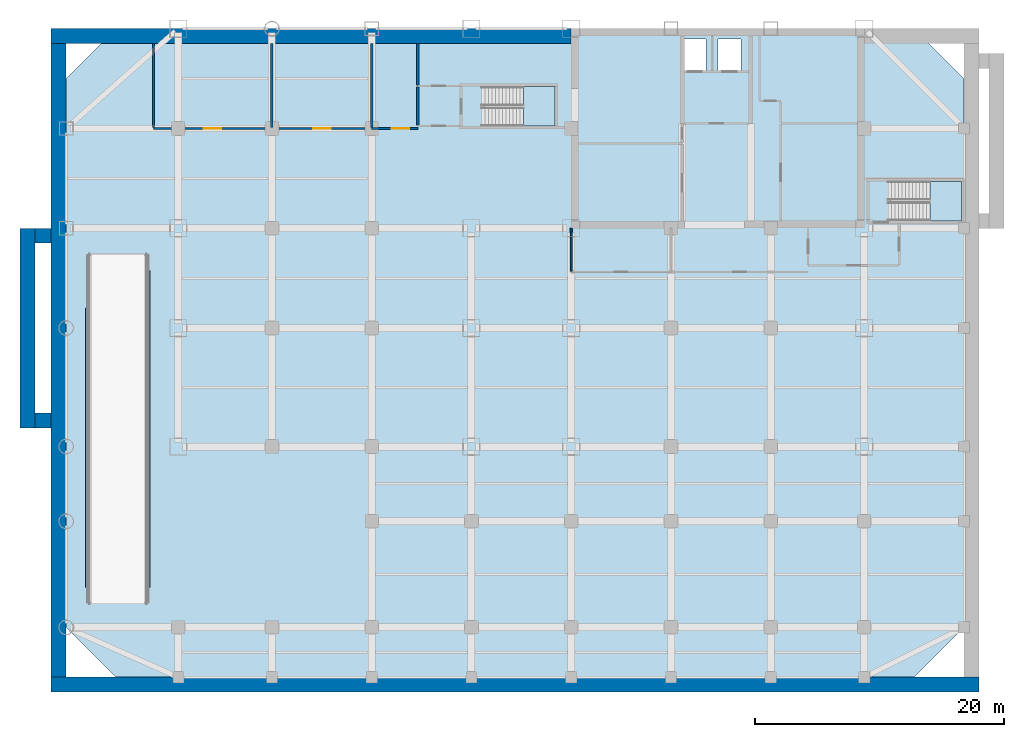
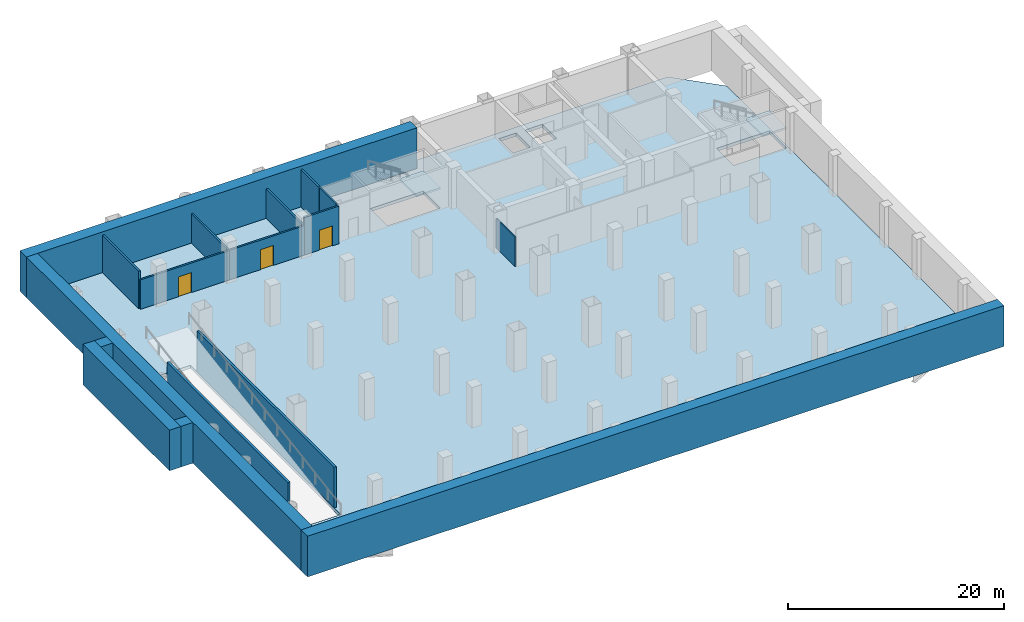
# One storey, part 3 of 8: 17 walls, 3 doors, 3 slabs, 3 openings, 2 elements without a shape of their own.
"""IFC4 building model written with IfcOpenShell, lengths in metres."""

from ifc_helpers import new_model, si_unit, direction, frame, frame_2d, origin, place, context, subcontext, project, spatial, polyline, rectangle, outline, extrude, material, layer, layer_set, type_object, element, fill, aggregate, save


model = new_model("IFC4")

# Units and contexts
model_context = context("Model", 3, precision=1e-05, world=origin(), true_north=direction((0.0, 1.0)))
body_context = subcontext(model_context, "Body", "Model", "MODEL_VIEW")
ifc_project = project(units=[si_unit("LENGTHUNIT", "METRE"), si_unit("AREAUNIT", "SQUARE_METRE"), si_unit("VOLUMEUNIT", "CUBIC_METRE"), si_unit("PLANEANGLEUNIT", "RADIAN"), si_unit("MASSUNIT", "GRAM", prefix="KILO")], contexts=[model_context])

# Site, building, storey
site_placement = place(None, origin())
site = spatial("IfcSite", under=ifc_project, at=site_placement, CompositionType="ELEMENT")
building_placement = place(site_placement, origin())
building = spatial("IfcBuilding", under=site, at=building_placement, Name="Qianrong Seaharbour Tower", CompositionType="ELEMENT")
storey_placement = place(building_placement, frame((0.0, 0.0, -9.199951171875)))
storey = spatial("IfcBuildingStorey", under=building, at=storey_placement, Name="B02", CompositionType="ELEMENT", Elevation=-9.199951171875)

# Slab
ifc_material_1 = material(Name="Concrete C50/60", Category="concrete")
ifc_layer_1 = layer(ifc_material_1, 0.360107421875)
ifc_layer_set_1 = layer_set([ifc_layer_1], Name="Concrete C50/60")
slab_type_1 = type_object("IfcSlabType", Name="SLAB-BSMT-360", PredefinedType="FLOOR", material=ifc_layer_set_1)
slab_1_placement = place(storey_placement, frame((0.0, 0.0, -0.360107421875)))
element("IfcSlab", 1, at=slab_1_placement, inside=storey, type_object=slab_type_1, Name="B02 Structural Floor Slab", PredefinedType="FLOOR", context=body_context, shape_type="SweptSolid", body=[
    extrude(outline(polyline([(4.0, 0.0), (68.0, 0.0), (72.0, 4.0), (72.0, 48.0), (68.0, 52.0), (4.0, 52.0), (0.0, 48.0), (0.0, 4.0), (4.0, 0.0)]), holes=[polyline([(33.5400390625, 44.199951171875), (33.5400390625, 47.35009765625), (39.199951171875, 47.35009765625), (39.199951171875, 44.199951171875), (33.5400390625, 44.199951171875)]), polyline([(66.139892578125, 36.60009765625), (66.139892578125, 39.75), (71.800048828125, 39.75), (71.800048828125, 36.60009765625), (66.139892578125, 36.60009765625)]), polyline([(49.47998046875, 48.530029296875), (49.47998046875, 51.169921875), (51.320068359375, 51.169921875), (51.320068359375, 48.530029296875), (49.47998046875, 48.530029296875)]), polyline([(52.280029296875, 48.530029296875), (52.280029296875, 51.169921875), (54.1201171875, 51.169921875), (54.1201171875, 48.530029296875), (52.280029296875, 48.530029296875)]), polyline([(1.800048828125, 6.0), (6.5, 6.0), (6.5, 33.800048828125), (1.800048828125, 33.800048828125), (1.800048828125, 6.0)])]), origin(), (0.0, 0.0, 1.0), 0.360107421875),
])

# Stair, slab
stair_type = type_object("IfcStairType", Name="STAIR-DOGLEG-1500-R26", PredefinedType="HALF_TURN_STAIR", material=ifc_material_1)
stair_1_placement = place(storey_placement, origin())
stair_1 = element("IfcStair", 2, at=stair_1_placement, inside=storey, type_object=stair_type, Name="B02 Protected Escape Stair BST-1", PredefinedType="HALF_TURN_STAIR")
ifc_layer_2 = layer(ifc_material_1, 0.199951171875)
ifc_layer_set_2 = layer_set([ifc_layer_2], Name="Concrete C50/60")
slab_type_2 = type_object("IfcSlabType", Name="SLAB-STAIR-LANDING-200", PredefinedType="LANDING", material=ifc_layer_set_2)
slab_2_placement = place(storey_placement, frame((0.0, 0.0, 2.099853515625)))
slab_2 = element("IfcSlab", 3, at=slab_2_placement, type_object=slab_type_2, Name="BST-1 landing 1", PredefinedType="LANDING", context=body_context, shape_type="SweptSolid", body=[
    extrude(outline(polyline([(36.659912109375, 44.199951171875), (39.199951171875, 44.199951171875), (39.199951171875, 47.35009765625), (36.659912109375, 47.35009765625), (36.659912109375, 44.199951171875)])), origin(), (0.0, 0.0, 1.0), 0.2001953125),
])
aggregate(stair_1, [slab_2])

stair_2_placement = place(storey_placement, origin())
stair_2 = element("IfcStair", 4, at=stair_2_placement, inside=storey, type_object=stair_type, Name="B02 Protected Escape Stair BST-2", PredefinedType="HALF_TURN_STAIR")
slab_3_placement = place(storey_placement, frame((0.0, 0.0, 2.099853515625)))
slab_3 = element("IfcSlab", 5, at=slab_3_placement, type_object=slab_type_2, Name="BST-2 landing 1", PredefinedType="LANDING", context=body_context, shape_type="SweptSolid", body=[
    extrude(outline(polyline([(69.260009765625, 36.60009765625), (71.800048828125, 36.60009765625), (71.800048828125, 39.75), (69.260009765625, 39.75), (69.260009765625, 36.60009765625)])), origin(), (0.0, 0.0, 1.0), 0.2001953125),
])
aggregate(stair_2, [slab_3])

# Walls
ifc_layer_3 = layer(ifc_material_1, 1.199951171875)
ifc_layer_set_3 = layer_set([ifc_layer_3], Name="Concrete C50/60")
wall_type_1 = type_object("IfcWallType", Name="WALL-DW-1200", PredefinedType="USERDEFINED", material=ifc_layer_set_3)
wall_1_placement = place(storey_placement, frame((-3.10009765625, 20.0, 0.0), z_axis=(0.0, 0.0, 1.0), x_axis=(0.0, 1.0, 0.0)))
element("IfcWall", 6, at=wall_1_placement, inside=storey, type_object=wall_type_1, Name="B02 West Ramp Retaining Buttress Wall", ObjectType="DIAPHRAGM WALL", PredefinedType="USERDEFINED", context=body_context, shape_type="SweptSolid", body=[
    extrude(rectangle(XDim=16.0, YDim=1.199951171875, at=frame_2d((8.0, 0.0))), origin(), (0.0, 0.0, 1.0), 4.599853515625),
])
for number, where, z_axis, x_axis, name in (
    (7, (-2.5, 20.60009765625, 0.0), (0.0, 0.0, 1.0), (1.0, 0.0, 0.0), "B02 West Ramp Buttress Return Wall S"),
    (8, (-2.5, 35.39990234375, 0.0), (0.0, 0.0, 1.0), (1.0, 0.0, 0.0), "B02 West Ramp Buttress Return Wall N"),
):
    element("IfcWall", number, at=place(storey_placement, frame(where, z_axis=z_axis, x_axis=x_axis)), inside=storey, type_object=wall_type_1, Name=name, ObjectType="DIAPHRAGM WALL", PredefinedType="USERDEFINED", context=body_context, shape_type="SweptSolid", body=[
        extrude(rectangle(XDim=1.300048828125, YDim=1.199951171875, at=frame_2d((0.64990234375, 0.0))), origin(), (0.0, 0.0, 1.0), 4.599853515625),
    ])
wall_2_placement = place(storey_placement, frame((-1.199951171875, 51.39990234375, 0.0), z_axis=(0.0, 0.0, 1.0), x_axis=(1.0, 0.0, 0.0)))
element("IfcWall", 9, at=wall_2_placement, inside=storey, type_object=wall_type_1, Name="B02 North-West Diaphragm Retaining Wall", ObjectType="DIAPHRAGM WALL", PredefinedType="USERDEFINED", context=body_context, shape_type="SweptSolid", body=[
    extrude(rectangle(XDim=41.699951171875, YDim=1.199951171875, at=frame_2d((20.85009765625, 0.0))), origin(), (0.0, 0.0, 1.0), 4.599853515625),
])
wall_3_placement = place(storey_placement, frame((-1.199951171875, -0.60009765625, 0.0), z_axis=(0.0, 0.0, 1.0), x_axis=(1.0, 0.0, 0.0)))
element("IfcWall", 10, at=wall_3_placement, inside=storey, type_object=wall_type_1, Name="B02 South Diaphragm Retaining Wall", ObjectType="DIAPHRAGM WALL", PredefinedType="USERDEFINED", context=body_context, shape_type="SweptSolid", body=[
    extrude(rectangle(XDim=74.39990234375, YDim=1.199951171875, at=frame_2d((37.199951171875, 0.0))), origin(), (0.0, 0.0, 1.0), 4.599853515625),
])
wall_4_placement = place(storey_placement, frame((-0.60009765625, 0.0, 0.0), z_axis=(0.0, 0.0, 1.0), x_axis=(0.0, 1.0, 0.0)))
element("IfcWall", 11, at=wall_4_placement, inside=storey, type_object=wall_type_1, Name="B02 West Diaphragm Retaining Wall", ObjectType="DIAPHRAGM WALL", PredefinedType="USERDEFINED", context=body_context, shape_type="SweptSolid", body=[
    extrude(rectangle(XDim=50.800048828125, YDim=1.199951171875, at=frame_2d((25.39990234375, 0.0))), origin(), (0.0, 0.0, 1.0), 4.599853515625),
])
ifc_material_2 = material(Name="Double fire-rated gypsum board acoustic partition")
ifc_layer_4 = layer(ifc_material_2, 0.18994140625)
ifc_layer_set_4 = layer_set([ifc_layer_4], Name="Double fire-rated gypsum board acoustic partition")
wall_type_2 = type_object("IfcWallType", Name="WALL-FIRE-PART-190", PredefinedType="PARTITIONING", material=ifc_layer_set_4)
wall_5_placement = place(storey_placement, frame((28.199951171875, 44.2744140625, 0.0), z_axis=(0.0, 0.0, 1.0), x_axis=(0.0, 1.0, 0.0)))
element("IfcWall", 12, at=wall_5_placement, inside=storey, type_object=wall_type_2, Name="B02 Interior Partition Wall 010", PredefinedType="PARTITIONING", context=body_context, shape_type="SweptSolid", body=[
    extrude(rectangle(XDim=3.051025390625, YDim=0.18994140625, at=frame_2d((1.525390625, 0.0))), origin(), (0.0, 0.0, 1.0), 4.239990234375),
])
wall_6_placement = place(storey_placement, frame((16.5, 50.80810546875, 0.0), z_axis=(0.0, 0.0, 1.0), x_axis=(0.0, -1.0, 0.0)))
element("IfcWall", 13, at=wall_6_placement, inside=storey, type_object=wall_type_2, Name="B02 Interior Partition Wall 016", PredefinedType="PARTITIONING", context=body_context, shape_type="SweptSolid", body=[
    extrude(rectangle(XDim=6.72119140625, YDim=0.18994140625, at=frame_2d((3.360595703125, 0.0))), origin(), (0.0, 0.0, 1.0), 3.33203125),
])

# Wall, opening, door
wall_7_placement = place(storey_placement, frame((16.5, 44.0, 0.0), z_axis=(0.0, 0.0, 1.0), x_axis=(-1.0, 0.0, 0.0)))
wall_7 = element("IfcWall", 14, at=wall_7_placement, inside=storey, type_object=wall_type_2, Name="B02 Interior Partition Wall 017", PredefinedType="PARTITIONING", context=body_context, shape_type="SweptSolid", body=[
    extrude(rectangle(XDim=9.5, YDim=0.18994140625, at=frame_2d((4.75, 0.0))), origin(), (0.0, 0.0, 1.0), 3.33203125),
])
opening_1_placement = place(wall_7_placement, frame((4.050048828125, 0.0, 0.0)))
opening_1 = element("IfcOpeningElement", 15, at=opening_1_placement, cuts=wall_7, Name="Opening DP-01", PredefinedType="OPENING", context=body_context, shape_type="SweptSolid", body=[
    extrude(rectangle(XDim=1.39990234375, YDim=2.25, at=frame_2d((0.699951171875, 1.125))), frame((0.0, 0.10498046875, 0.0), z_axis=(0.0, -1.0, 0.0), x_axis=(1.0, 0.0, 0.0)), (0.0, 0.0, 1.0), 0.2099609375),
])
ifc_material_3 = material(Name="Acoustic timber and galvanized steel fire door assembly", Category="steel")
door_type = type_object("IfcDoorType", Name="DOOR-PLANT-PAIR-1400x2250", OperationType="DOUBLE_DOOR_SINGLE_SWING", PredefinedType="DOOR", material=ifc_material_3)
door_1_placement = place(opening_1_placement, origin())
door_1 = element("IfcDoor", 16, at=door_1_placement, inside=storey, type_object=door_type, Name="B02 Emergency Generator Room Door", OperationType="DOUBLE_DOOR_SINGLE_SWING", OverallHeight=2.25, OverallWidth=1.39990234375, PredefinedType="DOOR", context=body_context, shape_type="SweptSolid", body=[
    extrude(rectangle(XDim=1.39990234375, YDim=2.25, at=frame_2d((0.699951171875, 1.125))), frame((0.0, 0.02490234375, 0.0), z_axis=(0.0, -1.0, 0.0), x_axis=(1.0, 0.0, 0.0)), (0.0, 0.0, 1.0), 0.050048828125),
])
fill(opening_1, door_1)

# Walls
wall_8_placement = place(storey_placement, frame((7.0, 44.0869140625, 0.0), z_axis=(0.0, 0.0, 1.0), x_axis=(0.0, 1.0, 0.0)))
element("IfcWall", 17, at=wall_8_placement, inside=storey, type_object=wall_type_2, Name="B02 Interior Partition Wall 018", PredefinedType="PARTITIONING", context=body_context, shape_type="SweptSolid", body=[
    extrude(rectangle(XDim=6.72119140625, YDim=0.18994140625, at=frame_2d((3.360595703125, 0.0))), origin(), (0.0, 0.0, 1.0), 4.239990234375),
])
wall_9_placement = place(storey_placement, frame((24.5, 50.80810546875, 0.0), z_axis=(0.0, 0.0, 1.0), x_axis=(0.0, -1.0, 0.0)))
element("IfcWall", 18, at=wall_9_placement, inside=storey, type_object=wall_type_2, Name="B02 Interior Partition Wall 019", PredefinedType="PARTITIONING", context=body_context, shape_type="SweptSolid", body=[
    extrude(rectangle(XDim=6.72119140625, YDim=0.18994140625, at=frame_2d((3.360595703125, 0.0))), origin(), (0.0, 0.0, 1.0), 3.33203125),
])

# Wall, opening, door
wall_10_placement = place(storey_placement, frame((24.5, 44.0, 0.0), z_axis=(0.0, 0.0, 1.0), x_axis=(-1.0, 0.0, 0.0)))
wall_10 = element("IfcWall", 19, at=wall_10_placement, inside=storey, type_object=wall_type_2, Name="B02 Interior Partition Wall 020", PredefinedType="PARTITIONING", context=body_context, shape_type="SweptSolid", body=[
    extrude(rectangle(XDim=8.0, YDim=0.18994140625, at=frame_2d((4.0, 0.0))), origin(), (0.0, 0.0, 1.0), 3.33203125),
])
opening_2_placement = place(wall_10_placement, frame((3.300048828125, 0.0, 0.0)))
opening_2 = element("IfcOpeningElement", 20, at=opening_2_placement, cuts=wall_10, Name="Opening DP-01", PredefinedType="OPENING", context=body_context, shape_type="SweptSolid", body=[
    extrude(rectangle(XDim=1.39990234375, YDim=2.25, at=frame_2d((0.699951171875, 1.125))), frame((0.0, 0.10498046875, 0.0), z_axis=(0.0, -1.0, 0.0), x_axis=(1.0, 0.0, 0.0)), (0.0, 0.0, 1.0), 0.2099609375),
])
door_2_placement = place(opening_2_placement, origin())
door_2 = element("IfcDoor", 21, at=door_2_placement, inside=storey, type_object=door_type, Name="B02 Electrical Substation Door", OperationType="DOUBLE_DOOR_SINGLE_SWING", OverallHeight=2.25, OverallWidth=1.39990234375, PredefinedType="DOOR", context=body_context, shape_type="SweptSolid", body=[
    extrude(rectangle(XDim=1.39990234375, YDim=2.25, at=frame_2d((0.699951171875, 1.125))), frame((0.0, 0.02490234375, 0.0), z_axis=(0.0, -1.0, 0.0), x_axis=(1.0, 0.0, 0.0)), (0.0, 0.0, 1.0), 0.050048828125),
])
fill(opening_2, door_2)

wall_11_placement = place(storey_placement, frame((28.199951171875, 44.0, 0.0), z_axis=(0.0, 0.0, 1.0), x_axis=(-1.0, 0.0, 0.0)))
wall_11 = element("IfcWall", 22, at=wall_11_placement, inside=storey, type_object=wall_type_2, Name="B02 Interior Partition Wall 021", PredefinedType="PARTITIONING", context=body_context, shape_type="SweptSolid", body=[
    extrude(rectangle(XDim=3.699951171875, YDim=0.18994140625, at=frame_2d((1.85009765625, 0.0))), origin(), (0.0, 0.0, 1.0), 4.239990234375),
])
opening_3_placement = place(wall_11_placement, frame((0.699951171875, 0.0, 0.0)))
opening_3 = element("IfcOpeningElement", 23, at=opening_3_placement, cuts=wall_11, Name="Opening DP-01", PredefinedType="OPENING", context=body_context, shape_type="SweptSolid", body=[
    extrude(rectangle(XDim=1.39990234375, YDim=2.25, at=frame_2d((0.699951171875, 1.125))), frame((0.0, 0.10498046875, 0.0), z_axis=(0.0, -1.0, 0.0), x_axis=(1.0, 0.0, 0.0)), (0.0, 0.0, 1.0), 0.2099609375),
])
door_3_placement = place(opening_3_placement, origin())
door_3 = element("IfcDoor", 24, at=door_3_placement, inside=storey, type_object=door_type, Name="B02 Air Handling Fan Room Door", OperationType="DOUBLE_DOOR_SINGLE_SWING", OverallHeight=2.25, OverallWidth=1.39990234375, PredefinedType="DOOR", context=body_context, shape_type="SweptSolid", body=[
    extrude(rectangle(XDim=1.39990234375, YDim=2.25, at=frame_2d((0.699951171875, 1.125))), frame((0.0, 0.02490234375, 0.0), z_axis=(0.0, -1.0, 0.0), x_axis=(1.0, 0.0, 0.0)), (0.0, 0.0, 1.0), 0.050048828125),
])
fill(opening_3, door_3)

# Walls
wall_12_placement = place(storey_placement, frame((28.199951171875, 50.80810546875, 0.0), z_axis=(0.0, 0.0, 1.0), x_axis=(0.0, -1.0, 0.0)))
element("IfcWall", 25, at=wall_12_placement, inside=storey, type_object=wall_type_2, Name="B02 Interior Partition Wall 022", PredefinedType="PARTITIONING", context=body_context, shape_type="SweptSolid", body=[
    extrude(rectangle(XDim=3.33349609375, YDim=0.18994140625, at=frame_2d((1.666748046875, 0.0))), origin(), (0.0, 0.0, 1.0), 4.239990234375),
])
ifc_layer_5 = layer(ifc_material_1, 0.239990234375)
ifc_layer_set_5 = layer_set([ifc_layer_5], Name="Concrete C50/60")
wall_type_3 = type_object("IfcWallType", Name="WALL-SHAFT-RC240", PredefinedType="SOLIDWALL", material=ifc_layer_set_5)
wall_13_placement = place(storey_placement, frame((1.679931640625, 7.199951171875, 0.0), z_axis=(0.0, 0.0, 1.0), x_axis=(0.0, 1.0, 0.0)))
element("IfcWall", 26, at=wall_13_placement, inside=storey, type_object=wall_type_3, Name="B02 Vehicular Ramp Structural Support Wall W", PredefinedType="SOLIDWALL", context=body_context, shape_type="SweptSolid", body=[
    extrude(rectangle(XDim=22.400146484375, YDim=0.239990234375, at=frame_2d((11.2001953125, 0.0))), origin(), (0.0, 0.0, 1.0), 4.599853515625),
])
wall_14_placement = place(storey_placement, frame((6.6201171875, 7.199951171875, 0.0), z_axis=(0.0, 0.0, 1.0), x_axis=(0.0, 1.0, 0.0)))
element("IfcWall", 27, at=wall_14_placement, inside=storey, type_object=wall_type_3, Name="B02 Vehicular Ramp Structural Support Wall E", PredefinedType="SOLIDWALL", context=body_context, shape_type="SweptSolid", body=[
    extrude(rectangle(XDim=25.400146484375, YDim=0.239990234375, at=frame_2d((12.7001953125, 0.0))), origin(), (0.0, 0.0, 1.0), 4.599853515625),
])
ifc_material_4 = material(Name="Water-resistant cement board sanitary partition")
ifc_layer_6 = layer(ifc_material_4, 0.1298828125)
ifc_layer_set_6 = layer_set([ifc_layer_6], Name="Water-resistant cement board sanitary partition")
wall_type_4 = type_object("IfcWallType", Name="WALL-WET-PART-130", PredefinedType="PARTITIONING", material=ifc_layer_set_6)
wall_15_placement = place(storey_placement, frame((40.5, 32.556884765625, 0.0), z_axis=(0.0, 0.0, 1.0), x_axis=(0.0, 1.0, 0.0)))
element("IfcWall", 28, at=wall_15_placement, inside=storey, type_object=wall_type_4, Name="B02 Interior Partition Wall 026", PredefinedType="PARTITIONING", context=body_context, shape_type="SweptSolid", body=[
    extrude(rectangle(XDim=3.443115234375, YDim=0.1298828125, at=frame_2d((1.7216796875, 0.0))), origin(), (0.0, 0.0, 1.0), 3.33203125),
])

save(model, "model.ifc")
